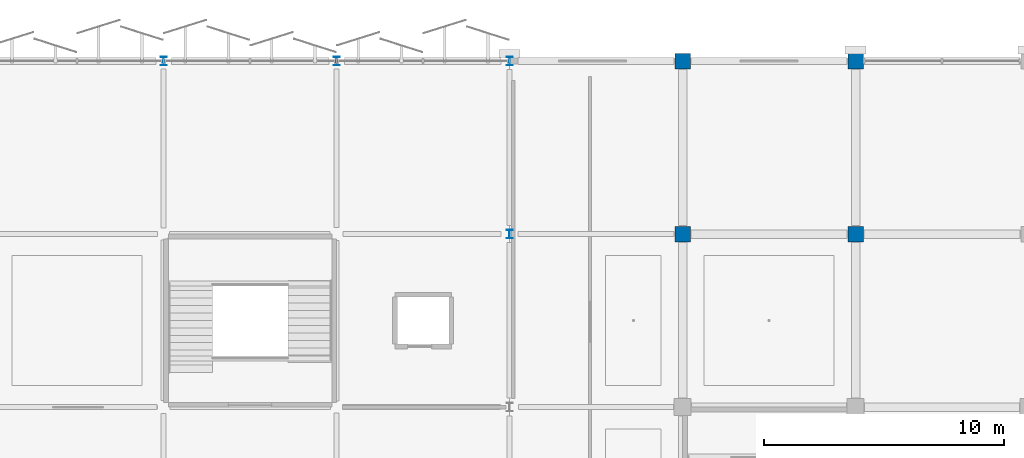
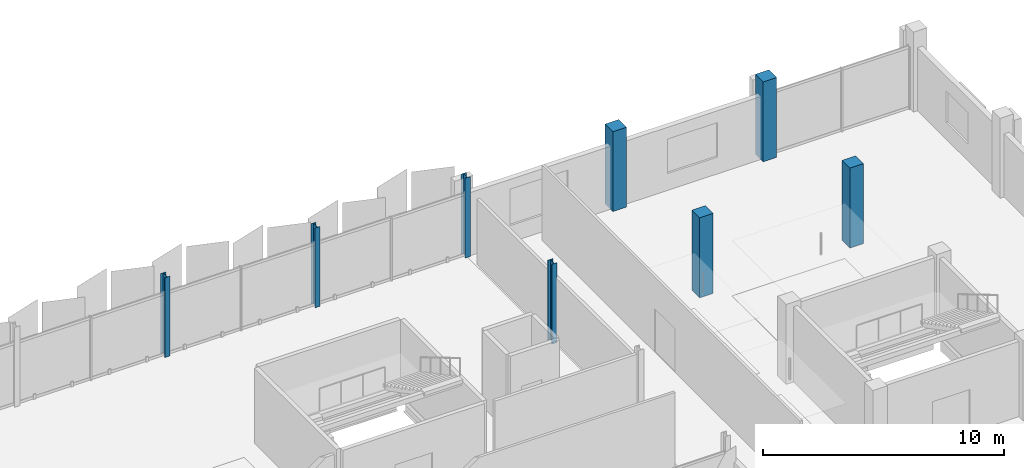
# One storey, part 6 of 91: 8 columns.
"""IFC4 building model written with IfcOpenShell, lengths in metres."""

from ifc_helpers import new_model, si_unit, direction, frame, origin, origin_2d, place, context, subcontext, project, spatial, rectangle, i_section, extrude, material, material_profile, profile_set, type_object, element, save


model = new_model("IFC4")

# Units and contexts
model_context = context("Model", 3, precision=1e-05, world=origin(), true_north=direction((0.0, 1.0)))
body_context = subcontext(model_context, "Body", "Model", "MODEL_VIEW")
ifc_project = project(units=[si_unit("LENGTHUNIT", "METRE"), si_unit("AREAUNIT", "SQUARE_METRE"), si_unit("VOLUMEUNIT", "CUBIC_METRE"), si_unit("PLANEANGLEUNIT", "RADIAN"), si_unit("MASSUNIT", "GRAM", prefix="KILO")], contexts=[model_context])

# Site, building, storey
site_placement = place(None, origin())
site = spatial("IfcSite", under=ifc_project, at=site_placement, CompositionType="ELEMENT")
building_placement = place(site_placement, origin())
building = spatial("IfcBuilding", under=site, at=building_placement, Name="Kangsadwip Square Police Headquarters", CompositionType="ELEMENT")
storey_placement = place(building_placement, frame((0.0, 0.0, 13.5)))
storey = spatial("IfcBuildingStorey", under=building, at=storey_placement, Name="L03", CompositionType="ELEMENT", Elevation=13.5)

# Columns
ifc_material_1 = material(Name="Concrete M40 (40 MPa)", Category="concrete")
ifc_material_profile_1 = material_profile(ifc_material_1, rectangle(XDim=0.64990234375, YDim=0.64990234375, at=origin_2d()), Name="RC COL 650X650")
ifc_profile_set_1 = profile_set([ifc_material_profile_1], Name="Concrete M40 (40 MPa)")
column_type_1 = type_object("IfcColumnType", Name="RcCol650x650", PredefinedType="COLUMN", material=ifc_profile_set_1)
for number, where, z_axis, x_axis, name in (
    (1, (151.199951171875, 108.0, 0.0), (0.0, 0.0, 1.0), (1.0, 0.0, 0.0), "Column COL-L03-21-15"),
    (2, (151.199951171875, 115.199951171875, 0.0), (0.0, 0.0, 1.0), (1.0, 0.0, 0.0), "Column COL-L03-21-16"),
    (3, (158.39990234375, 108.0, 0.0), (0.0, 0.0, 1.0), (1.0, 0.0, 0.0), "Column COL-L03-22-15"),
    (4, (158.39990234375, 115.199951171875, 0.0), (0.0, 0.0, 1.0), (1.0, 0.0, 0.0), "Column COL-L03-22-16"),
):
    element("IfcColumn", number, at=place(storey_placement, frame(where, z_axis=z_axis, x_axis=x_axis)), inside=storey, type_object=column_type_1, Name=name, PredefinedType="COLUMN", context=body_context, shape_type="SweptSolid", body=[
        extrude(rectangle(XDim=0.64990234375, YDim=0.64990234375, at=origin_2d()), origin(), (0.0, 0.0, 1.0), 4.050048828125),
    ])
ifc_material_2 = material(Name="Structural steel IS 2062 E350 (Grade 350, 350 MPa)", Category="steel")
ifc_material_profile_2 = material_profile(ifc_material_2, i_section(OverallWidth=0.25, OverallDepth=0.35009765625, WebThickness=0.010009765625, FlangeThickness=0.01171875, at=origin_2d()), Name="ISHB 350")
ifc_profile_set_2 = profile_set([ifc_material_profile_2], Name="Structural steel IS 2062 E350 (Grade 350, 350 MPa)")
column_type_2 = type_object("IfcColumnType", Name="SteelColIshb350", PredefinedType="COLUMN", material=ifc_profile_set_2)
for number, where, z_axis, x_axis, name in (
    (5, (129.60009765625, 115.199951171875, 0.0), (0.0, 0.0, 1.0), (1.0, 0.0, 0.0), "Column COL-L03-18-16"),
    (6, (136.800048828125, 115.199951171875, 0.0), (0.0, 0.0, 1.0), (1.0, 0.0, 0.0), "Column COL-L03-19-16"),
    (7, (144.0, 108.0, 0.0), (0.0, 0.0, 1.0), (1.0, 0.0, 0.0), "Column COL-L03-20-15"),
    (8, (144.0, 115.199951171875, 0.0), (0.0, 0.0, 1.0), (1.0, 0.0, 0.0), "Column COL-L03-20-16"),
):
    element("IfcColumn", number, at=place(storey_placement, frame(where, z_axis=z_axis, x_axis=x_axis)), inside=storey, type_object=column_type_2, Name=name, PredefinedType="COLUMN", context=body_context, shape_type="SweptSolid", body=[
        extrude(i_section(OverallWidth=0.25, OverallDepth=0.35009765625, WebThickness=0.010009765625, FlangeThickness=0.01171875, at=origin_2d()), origin(), (0.0, 0.0, 1.0), 4.050048828125),
    ])

save(model, "model.ifc")
